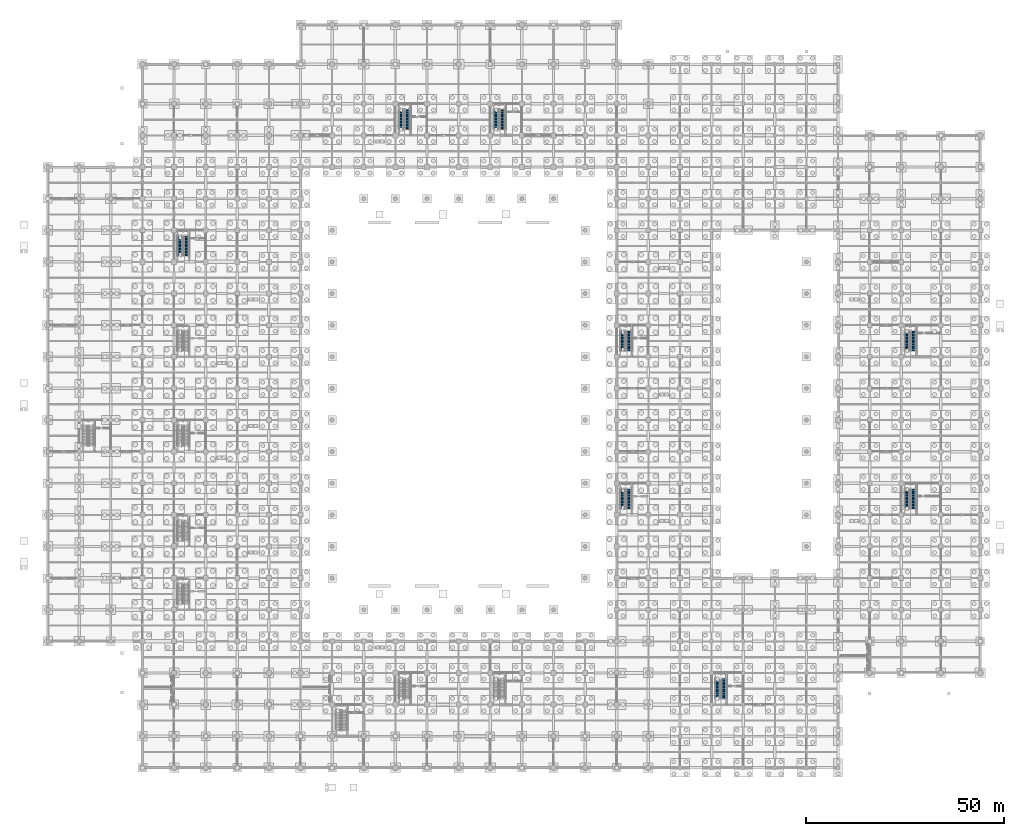
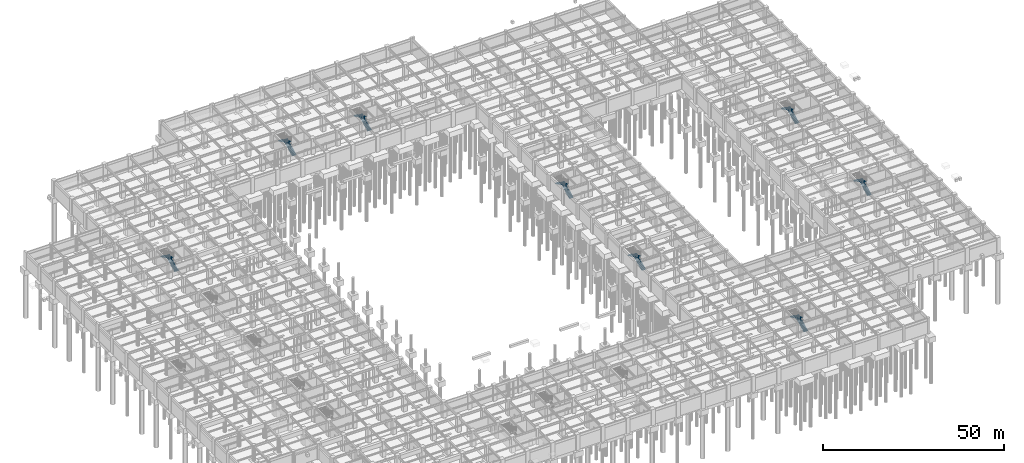
# One storey, part 86 of 97: 16 stair flights, 8 elements without a shape of their own.
"""IFC4 building model written with IfcOpenShell, lengths in metres."""

from ifc_helpers import new_model, si_unit, direction, frame, origin, place, context, subcontext, project, spatial, polyline, outline, extrude, material, type_object, element, aggregate, save


model = new_model("IFC4")

# Units and contexts
model_context = context("Model", 3, precision=1e-05, world=origin(), true_north=direction((0.0, 1.0)))
body_context = subcontext(model_context, "Body", "Model", "MODEL_VIEW")
ifc_project = project(units=[si_unit("LENGTHUNIT", "METRE"), si_unit("AREAUNIT", "SQUARE_METRE"), si_unit("VOLUMEUNIT", "CUBIC_METRE"), si_unit("PLANEANGLEUNIT", "RADIAN"), si_unit("MASSUNIT", "GRAM", prefix="KILO")], contexts=[model_context])

# Site, building, storey
site_placement = place(None, origin())
site = spatial("IfcSite", under=ifc_project, at=site_placement, CompositionType="ELEMENT")
building_placement = place(site_placement, origin())
building = spatial("IfcBuilding", under=site, at=building_placement, Name="Haebicheon Civic Stadium", CompositionType="ELEMENT")
storey_placement = place(building_placement, frame((0.0, 0.0, -5.39990234375)))
storey = spatial("IfcBuildingStorey", under=building, at=storey_placement, Name="B1", CompositionType="ELEMENT", Elevation=-5.39990234375)

# Stair, stair flights
ifc_material_1 = material(Name="Concrete C40/50", Category="concrete")
stair_type_1 = type_object("IfcStairType", Name="STR-DL-W126-H54", PredefinedType="HALF_TURN_STAIR", material=ifc_material_1)
stair_1_placement = place(storey_placement, origin())
stair_1 = element("IfcStair", 1, at=stair_1_placement, inside=storey, type_object=stair_type_1, material=ifc_material_1, Name="B1 Escape stair ST-05", PredefinedType="HALF_TURN_STAIR")
ifc_material_2 = material(Name="Concrete C40/50", Category="concrete")
stair_flight_type_1 = type_object("IfcStairFlightType", Name="STF-DL-W126-H54", PredefinedType="STRAIGHT", material=ifc_material_2)
stair_flight_1_placement = place(storey_placement, frame((35.110107421875, 129.449951171875, 0.0), z_axis=(0.0, 0.0, 1.0), x_axis=(0.0, 1.0, 0.0)))
stair_flight_1 = element("IfcStairFlight", 2, at=stair_flight_1_placement, type_object=stair_flight_type_1, material=ifc_material_2, Name="ST-05 flight 1", NumberOfRisers=18, NumberOfTreads=17, PredefinedType="STRAIGHT", RiserHeight=0.15, TreadLength=0.3, context=body_context, shape_type="SweptSolid", body=[
    extrude(outline(polyline([(0.0, 0.0), (0.0, 0.14990234375), (0.300048828125, 0.14990234375), (0.300048828125, 0.300048828125), (0.60009765625, 0.300048828125), (0.60009765625, 0.449951171875), (0.89990234375, 0.449951171875), (0.89990234375, 0.60009765625), (1.199951171875, 0.60009765625), (1.199951171875, 0.75), (1.5, 0.75), (1.5, 0.89990234375), (1.800048828125, 0.89990234375), (1.800048828125, 1.050048828125), (2.10009765625, 1.050048828125), (2.10009765625, 1.199951171875), (2.39990234375, 1.199951171875), (2.39990234375, 1.35009765625), (2.699951171875, 1.35009765625), (2.699951171875, 1.5), (3.0, 1.5), (3.0, 1.64990234375), (3.300048828125, 1.64990234375), (3.300048828125, 1.800048828125), (3.60009765625, 1.800048828125), (3.60009765625, 1.949951171875), (3.89990234375, 1.949951171875), (3.89990234375, 2.10009765625), (4.199951171875, 2.10009765625), (4.199951171875, 2.25), (4.5, 2.25), (4.5, 2.39990234375), (4.800048828125, 2.39990234375), (4.800048828125, 2.550048828125), (5.10009765625, 2.550048828125), (5.10009765625, 2.699951171875), (5.10009765625, 2.37109375), (0.357666015625, 0.0), (0.0, 0.0)])), frame((0.0, 0.6298828125, 0.0), z_axis=(0.0, -1.0, 0.0), x_axis=(1.0, 0.0, 0.0)), (0.0, 0.0, 1.0), 1.260009765625),
])
stair_flight_2_placement = place(storey_placement, frame((33.469970703125, 134.550048828125, 2.699951171875), z_axis=(0.0, 0.0, 1.0), x_axis=(0.0, -1.0, 0.0)))
stair_flight_2 = element("IfcStairFlight", 3, at=stair_flight_2_placement, type_object=stair_flight_type_1, material=ifc_material_2, Name="ST-05 flight 2", NumberOfRisers=18, NumberOfTreads=17, PredefinedType="STRAIGHT", RiserHeight=0.15, TreadLength=0.3, context=body_context, shape_type="SweptSolid", body=[
    extrude(outline(polyline([(0.0, 0.0), (0.0, 0.14990234375), (0.300048828125, 0.14990234375), (0.300048828125, 0.300048828125), (0.60009765625, 0.300048828125), (0.60009765625, 0.449951171875), (0.89990234375, 0.449951171875), (0.89990234375, 0.60009765625), (1.199951171875, 0.60009765625), (1.199951171875, 0.75), (1.5, 0.75), (1.5, 0.89990234375), (1.800048828125, 0.89990234375), (1.800048828125, 1.050048828125), (2.10009765625, 1.050048828125), (2.10009765625, 1.199951171875), (2.39990234375, 1.199951171875), (2.39990234375, 1.35009765625), (2.699951171875, 1.35009765625), (2.699951171875, 1.5), (3.0, 1.5), (3.0, 1.64990234375), (3.300048828125, 1.64990234375), (3.300048828125, 1.800048828125), (3.60009765625, 1.800048828125), (3.60009765625, 1.949951171875), (3.89990234375, 1.949951171875), (3.89990234375, 2.10009765625), (4.199951171875, 2.10009765625), (4.199951171875, 2.25), (4.5, 2.25), (4.5, 2.39990234375), (4.800048828125, 2.39990234375), (4.800048828125, 2.550048828125), (5.10009765625, 2.550048828125), (5.10009765625, 2.699951171875), (5.10009765625, 2.37109375), (0.357666015625, 0.0), (0.0, 0.0)])), frame((0.0, 0.6298828125, 0.0), z_axis=(0.0, -1.0, 0.0), x_axis=(1.0, 0.0, 0.0)), (0.0, 0.0, 1.0), 1.260009765625),
])
aggregate(stair_1, [stair_flight_1, stair_flight_2])

stair_2_placement = place(storey_placement, origin())
stair_2 = element("IfcStair", 4, at=stair_2_placement, inside=storey, type_object=stair_type_1, material=ifc_material_1, Name="B1 Escape stair ST-09", PredefinedType="HALF_TURN_STAIR")
stair_flight_3_placement = place(storey_placement, frame((115.110107421875, 161.449951171875, 0.0), z_axis=(0.0, 0.0, 1.0), x_axis=(0.0, 1.0, 0.0)))
stair_flight_3 = element("IfcStairFlight", 5, at=stair_flight_3_placement, type_object=stair_flight_type_1, material=ifc_material_2, Name="ST-09 flight 1", NumberOfRisers=18, NumberOfTreads=17, PredefinedType="STRAIGHT", RiserHeight=0.15, TreadLength=0.3, context=body_context, shape_type="SweptSolid", body=[
    extrude(outline(polyline([(0.0, 0.0), (0.0, 0.14990234375), (0.300048828125, 0.14990234375), (0.300048828125, 0.300048828125), (0.60009765625, 0.300048828125), (0.60009765625, 0.449951171875), (0.89990234375, 0.449951171875), (0.89990234375, 0.60009765625), (1.199951171875, 0.60009765625), (1.199951171875, 0.75), (1.5, 0.75), (1.5, 0.89990234375), (1.800048828125, 0.89990234375), (1.800048828125, 1.050048828125), (2.10009765625, 1.050048828125), (2.10009765625, 1.199951171875), (2.39990234375, 1.199951171875), (2.39990234375, 1.35009765625), (2.699951171875, 1.35009765625), (2.699951171875, 1.5), (3.0, 1.5), (3.0, 1.64990234375), (3.300048828125, 1.64990234375), (3.300048828125, 1.800048828125), (3.60009765625, 1.800048828125), (3.60009765625, 1.949951171875), (3.89990234375, 1.949951171875), (3.89990234375, 2.10009765625), (4.199951171875, 2.10009765625), (4.199951171875, 2.25), (4.5, 2.25), (4.5, 2.39990234375), (4.800048828125, 2.39990234375), (4.800048828125, 2.550048828125), (5.10009765625, 2.550048828125), (5.10009765625, 2.699951171875), (5.10009765625, 2.37109375), (0.357666015625, 0.0), (0.0, 0.0)])), frame((0.0, 0.6298828125, 0.0), z_axis=(0.0, -1.0, 0.0), x_axis=(1.0, 0.0, 0.0)), (0.0, 0.0, 1.0), 1.260009765625),
])
stair_flight_4_placement = place(storey_placement, frame((113.469970703125, 166.550048828125, 2.699951171875), z_axis=(0.0, 0.0, 1.0), x_axis=(0.0, -1.0, 0.0)))
stair_flight_4 = element("IfcStairFlight", 6, at=stair_flight_4_placement, type_object=stair_flight_type_1, material=ifc_material_2, Name="ST-09 flight 2", NumberOfRisers=18, NumberOfTreads=17, PredefinedType="STRAIGHT", RiserHeight=0.15, TreadLength=0.3, context=body_context, shape_type="SweptSolid", body=[
    extrude(outline(polyline([(0.0, 0.0), (0.0, 0.14990234375), (0.300048828125, 0.14990234375), (0.300048828125, 0.300048828125), (0.60009765625, 0.300048828125), (0.60009765625, 0.449951171875), (0.89990234375, 0.449951171875), (0.89990234375, 0.60009765625), (1.199951171875, 0.60009765625), (1.199951171875, 0.75), (1.5, 0.75), (1.5, 0.89990234375), (1.800048828125, 0.89990234375), (1.800048828125, 1.050048828125), (2.10009765625, 1.050048828125), (2.10009765625, 1.199951171875), (2.39990234375, 1.199951171875), (2.39990234375, 1.35009765625), (2.699951171875, 1.35009765625), (2.699951171875, 1.5), (3.0, 1.5), (3.0, 1.64990234375), (3.300048828125, 1.64990234375), (3.300048828125, 1.800048828125), (3.60009765625, 1.800048828125), (3.60009765625, 1.949951171875), (3.89990234375, 1.949951171875), (3.89990234375, 2.10009765625), (4.199951171875, 2.10009765625), (4.199951171875, 2.25), (4.5, 2.25), (4.5, 2.39990234375), (4.800048828125, 2.39990234375), (4.800048828125, 2.550048828125), (5.10009765625, 2.550048828125), (5.10009765625, 2.699951171875), (5.10009765625, 2.37109375), (0.357666015625, 0.0), (0.0, 0.0)])), frame((0.0, 0.6298828125, 0.0), z_axis=(0.0, -1.0, 0.0), x_axis=(1.0, 0.0, 0.0)), (0.0, 0.0, 1.0), 1.260009765625),
])
aggregate(stair_2, [stair_flight_3, stair_flight_4])

stair_3_placement = place(storey_placement, origin())
stair_3 = element("IfcStair", 7, at=stair_3_placement, inside=storey, type_object=stair_type_1, material=ifc_material_1, Name="B1 Escape stair ST-11", PredefinedType="HALF_TURN_STAIR")
stair_flight_5_placement = place(storey_placement, frame((147.110107421875, 105.449951171875, 0.0), z_axis=(0.0, 0.0, 1.0), x_axis=(0.0, 1.0, 0.0)))
stair_flight_5 = element("IfcStairFlight", 8, at=stair_flight_5_placement, type_object=stair_flight_type_1, material=ifc_material_2, Name="ST-11 flight 1", NumberOfRisers=18, NumberOfTreads=17, PredefinedType="STRAIGHT", RiserHeight=0.15, TreadLength=0.3, context=body_context, shape_type="SweptSolid", body=[
    extrude(outline(polyline([(0.0, 0.0), (0.0, 0.14990234375), (0.300048828125, 0.14990234375), (0.300048828125, 0.300048828125), (0.60009765625, 0.300048828125), (0.60009765625, 0.449951171875), (0.89990234375, 0.449951171875), (0.89990234375, 0.60009765625), (1.199951171875, 0.60009765625), (1.199951171875, 0.75), (1.5, 0.75), (1.5, 0.89990234375), (1.800048828125, 0.89990234375), (1.800048828125, 1.050048828125), (2.10009765625, 1.050048828125), (2.10009765625, 1.199951171875), (2.39990234375, 1.199951171875), (2.39990234375, 1.35009765625), (2.699951171875, 1.35009765625), (2.699951171875, 1.5), (3.0, 1.5), (3.0, 1.64990234375), (3.300048828125, 1.64990234375), (3.300048828125, 1.800048828125), (3.60009765625, 1.800048828125), (3.60009765625, 1.949951171875), (3.89990234375, 1.949951171875), (3.89990234375, 2.10009765625), (4.199951171875, 2.10009765625), (4.199951171875, 2.25), (4.5, 2.25), (4.5, 2.39990234375), (4.800048828125, 2.39990234375), (4.800048828125, 2.550048828125), (5.10009765625, 2.550048828125), (5.10009765625, 2.699951171875), (5.10009765625, 2.37109375), (0.357666015625, 0.0), (0.0, 0.0)])), frame((0.0, 0.6298828125, 0.0), z_axis=(0.0, -1.0, 0.0), x_axis=(1.0, 0.0, 0.0)), (0.0, 0.0, 1.0), 1.260009765625),
])
stair_flight_6_placement = place(storey_placement, frame((145.469970703125, 110.550048828125, 2.699951171875), z_axis=(0.0, 0.0, 1.0), x_axis=(0.0, -1.0, 0.0)))
stair_flight_6 = element("IfcStairFlight", 9, at=stair_flight_6_placement, type_object=stair_flight_type_1, material=ifc_material_2, Name="ST-11 flight 2", NumberOfRisers=18, NumberOfTreads=17, PredefinedType="STRAIGHT", RiserHeight=0.15, TreadLength=0.3, context=body_context, shape_type="SweptSolid", body=[
    extrude(outline(polyline([(0.0, 0.0), (0.0, 0.14990234375), (0.300048828125, 0.14990234375), (0.300048828125, 0.300048828125), (0.60009765625, 0.300048828125), (0.60009765625, 0.449951171875), (0.89990234375, 0.449951171875), (0.89990234375, 0.60009765625), (1.199951171875, 0.60009765625), (1.199951171875, 0.75), (1.5, 0.75), (1.5, 0.89990234375), (1.800048828125, 0.89990234375), (1.800048828125, 1.050048828125), (2.10009765625, 1.050048828125), (2.10009765625, 1.199951171875), (2.39990234375, 1.199951171875), (2.39990234375, 1.35009765625), (2.699951171875, 1.35009765625), (2.699951171875, 1.5), (3.0, 1.5), (3.0, 1.64990234375), (3.300048828125, 1.64990234375), (3.300048828125, 1.800048828125), (3.60009765625, 1.800048828125), (3.60009765625, 1.949951171875), (3.89990234375, 1.949951171875), (3.89990234375, 2.10009765625), (4.199951171875, 2.10009765625), (4.199951171875, 2.25), (4.5, 2.25), (4.5, 2.39990234375), (4.800048828125, 2.39990234375), (4.800048828125, 2.550048828125), (5.10009765625, 2.550048828125), (5.10009765625, 2.699951171875), (5.10009765625, 2.37109375), (0.357666015625, 0.0), (0.0, 0.0)])), frame((0.0, 0.6298828125, 0.0), z_axis=(0.0, -1.0, 0.0), x_axis=(1.0, 0.0, 0.0)), (0.0, 0.0, 1.0), 1.260009765625),
])
aggregate(stair_3, [stair_flight_5, stair_flight_6])

stair_4_placement = place(storey_placement, origin())
stair_4 = element("IfcStair", 10, at=stair_4_placement, inside=storey, type_object=stair_type_1, material=ifc_material_1, Name="B1 Escape stair ST-13", PredefinedType="HALF_TURN_STAIR")
stair_flight_7_placement = place(storey_placement, frame((219.110107421875, 105.449951171875, 0.0), z_axis=(0.0, 0.0, 1.0), x_axis=(0.0, 1.0, 0.0)))
stair_flight_7 = element("IfcStairFlight", 11, at=stair_flight_7_placement, type_object=stair_flight_type_1, material=ifc_material_2, Name="ST-13 flight 1", NumberOfRisers=18, NumberOfTreads=17, PredefinedType="STRAIGHT", RiserHeight=0.15, TreadLength=0.3, context=body_context, shape_type="SweptSolid", body=[
    extrude(outline(polyline([(0.0, 0.0), (0.0, 0.14990234375), (0.300048828125, 0.14990234375), (0.300048828125, 0.300048828125), (0.60009765625, 0.300048828125), (0.60009765625, 0.449951171875), (0.89990234375, 0.449951171875), (0.89990234375, 0.60009765625), (1.199951171875, 0.60009765625), (1.199951171875, 0.75), (1.5, 0.75), (1.5, 0.89990234375), (1.800048828125, 0.89990234375), (1.800048828125, 1.050048828125), (2.10009765625, 1.050048828125), (2.10009765625, 1.199951171875), (2.39990234375, 1.199951171875), (2.39990234375, 1.35009765625), (2.699951171875, 1.35009765625), (2.699951171875, 1.5), (3.0, 1.5), (3.0, 1.64990234375), (3.300048828125, 1.64990234375), (3.300048828125, 1.800048828125), (3.60009765625, 1.800048828125), (3.60009765625, 1.949951171875), (3.89990234375, 1.949951171875), (3.89990234375, 2.10009765625), (4.199951171875, 2.10009765625), (4.199951171875, 2.25), (4.5, 2.25), (4.5, 2.39990234375), (4.800048828125, 2.39990234375), (4.800048828125, 2.550048828125), (5.10009765625, 2.550048828125), (5.10009765625, 2.699951171875), (5.10009765625, 2.37109375), (0.357666015625, 0.0), (0.0, 0.0)])), frame((0.0, 0.6298828125, 0.0), z_axis=(0.0, -1.0, 0.0), x_axis=(1.0, 0.0, 0.0)), (0.0, 0.0, 1.0), 1.260009765625),
])
stair_flight_8_placement = place(storey_placement, frame((217.469970703125, 110.550048828125, 2.699951171875), z_axis=(0.0, 0.0, 1.0), x_axis=(0.0, -1.0, 0.0)))
stair_flight_8 = element("IfcStairFlight", 12, at=stair_flight_8_placement, type_object=stair_flight_type_1, material=ifc_material_2, Name="ST-13 flight 2", NumberOfRisers=18, NumberOfTreads=17, PredefinedType="STRAIGHT", RiserHeight=0.15, TreadLength=0.3, context=body_context, shape_type="SweptSolid", body=[
    extrude(outline(polyline([(0.0, 0.0), (0.0, 0.14990234375), (0.300048828125, 0.14990234375), (0.300048828125, 0.300048828125), (0.60009765625, 0.300048828125), (0.60009765625, 0.449951171875), (0.89990234375, 0.449951171875), (0.89990234375, 0.60009765625), (1.199951171875, 0.60009765625), (1.199951171875, 0.75), (1.5, 0.75), (1.5, 0.89990234375), (1.800048828125, 0.89990234375), (1.800048828125, 1.050048828125), (2.10009765625, 1.050048828125), (2.10009765625, 1.199951171875), (2.39990234375, 1.199951171875), (2.39990234375, 1.35009765625), (2.699951171875, 1.35009765625), (2.699951171875, 1.5), (3.0, 1.5), (3.0, 1.64990234375), (3.300048828125, 1.64990234375), (3.300048828125, 1.800048828125), (3.60009765625, 1.800048828125), (3.60009765625, 1.949951171875), (3.89990234375, 1.949951171875), (3.89990234375, 2.10009765625), (4.199951171875, 2.10009765625), (4.199951171875, 2.25), (4.5, 2.25), (4.5, 2.39990234375), (4.800048828125, 2.39990234375), (4.800048828125, 2.550048828125), (5.10009765625, 2.550048828125), (5.10009765625, 2.699951171875), (5.10009765625, 2.37109375), (0.357666015625, 0.0), (0.0, 0.0)])), frame((0.0, 0.6298828125, 0.0), z_axis=(0.0, -1.0, 0.0), x_axis=(1.0, 0.0, 0.0)), (0.0, 0.0, 1.0), 1.260009765625),
])
aggregate(stair_4, [stair_flight_7, stair_flight_8])

ifc_material_3 = material(Name="Concrete C40/50", Category="concrete")
stair_type_2 = type_object("IfcStairType", Name="STR-DL-W128-H54", PredefinedType="HALF_TURN_STAIR", material=ifc_material_3)
stair_5_placement = place(storey_placement, origin())
stair_5 = element("IfcStair", 13, at=stair_5_placement, inside=storey, type_object=stair_type_2, material=ifc_material_3, Name="B1 Escape stair ST-08", PredefinedType="HALF_TURN_STAIR")
ifc_material_4 = material(Name="Concrete C40/50", Category="concrete")
stair_flight_type_2 = type_object("IfcStairFlightType", Name="STF-DL-W128-H54", PredefinedType="STRAIGHT", material=ifc_material_4)
stair_flight_9_placement = place(storey_placement, frame((91.10009765625, 161.449951171875, 0.0), z_axis=(0.0, 0.0, 1.0), x_axis=(0.0, 1.0, 0.0)))
stair_flight_9 = element("IfcStairFlight", 14, at=stair_flight_9_placement, type_object=stair_flight_type_2, material=ifc_material_4, Name="ST-08 flight 1", NumberOfRisers=18, NumberOfTreads=17, PredefinedType="STRAIGHT", RiserHeight=0.15, TreadLength=0.3, context=body_context, shape_type="SweptSolid", body=[
    extrude(outline(polyline([(0.0, 0.0), (0.0, 0.14990234375), (0.300048828125, 0.14990234375), (0.300048828125, 0.300048828125), (0.60009765625, 0.300048828125), (0.60009765625, 0.449951171875), (0.89990234375, 0.449951171875), (0.89990234375, 0.60009765625), (1.199951171875, 0.60009765625), (1.199951171875, 0.75), (1.5, 0.75), (1.5, 0.89990234375), (1.800048828125, 0.89990234375), (1.800048828125, 1.050048828125), (2.10009765625, 1.050048828125), (2.10009765625, 1.199951171875), (2.39990234375, 1.199951171875), (2.39990234375, 1.35009765625), (2.699951171875, 1.35009765625), (2.699951171875, 1.5), (3.0, 1.5), (3.0, 1.64990234375), (3.300048828125, 1.64990234375), (3.300048828125, 1.800048828125), (3.60009765625, 1.800048828125), (3.60009765625, 1.949951171875), (3.89990234375, 1.949951171875), (3.89990234375, 2.10009765625), (4.199951171875, 2.10009765625), (4.199951171875, 2.25), (4.5, 2.25), (4.5, 2.39990234375), (4.800048828125, 2.39990234375), (4.800048828125, 2.550048828125), (5.10009765625, 2.550048828125), (5.10009765625, 2.699951171875), (5.10009765625, 2.37109375), (0.357666015625, 0.0), (0.0, 0.0)])), frame((0.0, 0.64013671875, 0.0), z_axis=(0.0, -1.0, 0.0), x_axis=(1.0, 0.0, 0.0)), (0.0, 0.0, 1.0), 1.280029296875),
])
stair_flight_10_placement = place(storey_placement, frame((89.47998046875, 166.550048828125, 2.699951171875), z_axis=(0.0, 0.0, 1.0), x_axis=(0.0, -1.0, 0.0)))
stair_flight_10 = element("IfcStairFlight", 15, at=stair_flight_10_placement, type_object=stair_flight_type_2, material=ifc_material_4, Name="ST-08 flight 2", NumberOfRisers=18, NumberOfTreads=17, PredefinedType="STRAIGHT", RiserHeight=0.15, TreadLength=0.3, context=body_context, shape_type="SweptSolid", body=[
    extrude(outline(polyline([(0.0, 0.0), (0.0, 0.14990234375), (0.300048828125, 0.14990234375), (0.300048828125, 0.300048828125), (0.60009765625, 0.300048828125), (0.60009765625, 0.449951171875), (0.89990234375, 0.449951171875), (0.89990234375, 0.60009765625), (1.199951171875, 0.60009765625), (1.199951171875, 0.75), (1.5, 0.75), (1.5, 0.89990234375), (1.800048828125, 0.89990234375), (1.800048828125, 1.050048828125), (2.10009765625, 1.050048828125), (2.10009765625, 1.199951171875), (2.39990234375, 1.199951171875), (2.39990234375, 1.35009765625), (2.699951171875, 1.35009765625), (2.699951171875, 1.5), (3.0, 1.5), (3.0, 1.64990234375), (3.300048828125, 1.64990234375), (3.300048828125, 1.800048828125), (3.60009765625, 1.800048828125), (3.60009765625, 1.949951171875), (3.89990234375, 1.949951171875), (3.89990234375, 2.10009765625), (4.199951171875, 2.10009765625), (4.199951171875, 2.25), (4.5, 2.25), (4.5, 2.39990234375), (4.800048828125, 2.39990234375), (4.800048828125, 2.550048828125), (5.10009765625, 2.550048828125), (5.10009765625, 2.699951171875), (5.10009765625, 2.37109375), (0.357666015625, 0.0), (0.0, 0.0)])), frame((0.0, 0.64013671875, 0.0), z_axis=(0.0, -1.0, 0.0), x_axis=(1.0, 0.0, 0.0)), (0.0, 0.0, 1.0), 1.280029296875),
])
aggregate(stair_5, [stair_flight_9, stair_flight_10])

stair_6_placement = place(storey_placement, origin())
stair_6 = element("IfcStair", 16, at=stair_6_placement, inside=storey, type_object=stair_type_2, material=ifc_material_3, Name="B1 Escape stair ST-10", PredefinedType="HALF_TURN_STAIR")
stair_flight_11_placement = place(storey_placement, frame((147.10009765625, 65.449951171875, 0.0), z_axis=(0.0, 0.0, 1.0), x_axis=(0.0, 1.0, 0.0)))
stair_flight_11 = element("IfcStairFlight", 17, at=stair_flight_11_placement, type_object=stair_flight_type_2, material=ifc_material_4, Name="ST-10 flight 1", NumberOfRisers=18, NumberOfTreads=17, PredefinedType="STRAIGHT", RiserHeight=0.15, TreadLength=0.3, context=body_context, shape_type="SweptSolid", body=[
    extrude(outline(polyline([(0.0, 0.0), (0.0, 0.14990234375), (0.300048828125, 0.14990234375), (0.300048828125, 0.300048828125), (0.60009765625, 0.300048828125), (0.60009765625, 0.449951171875), (0.89990234375, 0.449951171875), (0.89990234375, 0.60009765625), (1.199951171875, 0.60009765625), (1.199951171875, 0.75), (1.5, 0.75), (1.5, 0.89990234375), (1.800048828125, 0.89990234375), (1.800048828125, 1.050048828125), (2.10009765625, 1.050048828125), (2.10009765625, 1.199951171875), (2.39990234375, 1.199951171875), (2.39990234375, 1.35009765625), (2.699951171875, 1.35009765625), (2.699951171875, 1.5), (3.0, 1.5), (3.0, 1.64990234375), (3.300048828125, 1.64990234375), (3.300048828125, 1.800048828125), (3.60009765625, 1.800048828125), (3.60009765625, 1.949951171875), (3.89990234375, 1.949951171875), (3.89990234375, 2.10009765625), (4.199951171875, 2.10009765625), (4.199951171875, 2.25), (4.5, 2.25), (4.5, 2.39990234375), (4.800048828125, 2.39990234375), (4.800048828125, 2.550048828125), (5.10009765625, 2.550048828125), (5.10009765625, 2.699951171875), (5.10009765625, 2.37109375), (0.357666015625, 0.0), (0.0, 0.0)])), frame((0.0, 0.64013671875, 0.0), z_axis=(0.0, -1.0, 0.0), x_axis=(1.0, 0.0, 0.0)), (0.0, 0.0, 1.0), 1.280029296875),
])
stair_flight_12_placement = place(storey_placement, frame((145.47998046875, 70.550048828125, 2.699951171875), z_axis=(0.0, 0.0, 1.0), x_axis=(0.0, -1.0, 0.0)))
stair_flight_12 = element("IfcStairFlight", 18, at=stair_flight_12_placement, type_object=stair_flight_type_2, material=ifc_material_4, Name="ST-10 flight 2", NumberOfRisers=18, NumberOfTreads=17, PredefinedType="STRAIGHT", RiserHeight=0.15, TreadLength=0.3, context=body_context, shape_type="SweptSolid", body=[
    extrude(outline(polyline([(0.0, 0.0), (0.0, 0.14990234375), (0.300048828125, 0.14990234375), (0.300048828125, 0.300048828125), (0.60009765625, 0.300048828125), (0.60009765625, 0.449951171875), (0.89990234375, 0.449951171875), (0.89990234375, 0.60009765625), (1.199951171875, 0.60009765625), (1.199951171875, 0.75), (1.5, 0.75), (1.5, 0.89990234375), (1.800048828125, 0.89990234375), (1.800048828125, 1.050048828125), (2.10009765625, 1.050048828125), (2.10009765625, 1.199951171875), (2.39990234375, 1.199951171875), (2.39990234375, 1.35009765625), (2.699951171875, 1.35009765625), (2.699951171875, 1.5), (3.0, 1.5), (3.0, 1.64990234375), (3.300048828125, 1.64990234375), (3.300048828125, 1.800048828125), (3.60009765625, 1.800048828125), (3.60009765625, 1.949951171875), (3.89990234375, 1.949951171875), (3.89990234375, 2.10009765625), (4.199951171875, 2.10009765625), (4.199951171875, 2.25), (4.5, 2.25), (4.5, 2.39990234375), (4.800048828125, 2.39990234375), (4.800048828125, 2.550048828125), (5.10009765625, 2.550048828125), (5.10009765625, 2.699951171875), (5.10009765625, 2.37109375), (0.357666015625, 0.0), (0.0, 0.0)])), frame((0.0, 0.64013671875, 0.0), z_axis=(0.0, -1.0, 0.0), x_axis=(1.0, 0.0, 0.0)), (0.0, 0.0, 1.0), 1.280029296875),
])
aggregate(stair_6, [stair_flight_11, stair_flight_12])

stair_7_placement = place(storey_placement, origin())
stair_7 = element("IfcStair", 19, at=stair_7_placement, inside=storey, type_object=stair_type_2, material=ifc_material_3, Name="B1 Escape stair ST-12", PredefinedType="HALF_TURN_STAIR")
stair_flight_13_placement = place(storey_placement, frame((219.10009765625, 65.449951171875, 0.0), z_axis=(0.0, 0.0, 1.0), x_axis=(0.0, 1.0, 0.0)))
stair_flight_13 = element("IfcStairFlight", 20, at=stair_flight_13_placement, type_object=stair_flight_type_2, material=ifc_material_4, Name="ST-12 flight 1", NumberOfRisers=18, NumberOfTreads=17, PredefinedType="STRAIGHT", RiserHeight=0.15, TreadLength=0.3, context=body_context, shape_type="SweptSolid", body=[
    extrude(outline(polyline([(0.0, 0.0), (0.0, 0.14990234375), (0.300048828125, 0.14990234375), (0.300048828125, 0.300048828125), (0.60009765625, 0.300048828125), (0.60009765625, 0.449951171875), (0.89990234375, 0.449951171875), (0.89990234375, 0.60009765625), (1.199951171875, 0.60009765625), (1.199951171875, 0.75), (1.5, 0.75), (1.5, 0.89990234375), (1.800048828125, 0.89990234375), (1.800048828125, 1.050048828125), (2.10009765625, 1.050048828125), (2.10009765625, 1.199951171875), (2.39990234375, 1.199951171875), (2.39990234375, 1.35009765625), (2.699951171875, 1.35009765625), (2.699951171875, 1.5), (3.0, 1.5), (3.0, 1.64990234375), (3.300048828125, 1.64990234375), (3.300048828125, 1.800048828125), (3.60009765625, 1.800048828125), (3.60009765625, 1.949951171875), (3.89990234375, 1.949951171875), (3.89990234375, 2.10009765625), (4.199951171875, 2.10009765625), (4.199951171875, 2.25), (4.5, 2.25), (4.5, 2.39990234375), (4.800048828125, 2.39990234375), (4.800048828125, 2.550048828125), (5.10009765625, 2.550048828125), (5.10009765625, 2.699951171875), (5.10009765625, 2.37109375), (0.357666015625, 0.0), (0.0, 0.0)])), frame((0.0, 0.64013671875, 0.0), z_axis=(0.0, -1.0, 0.0), x_axis=(1.0, 0.0, 0.0)), (0.0, 0.0, 1.0), 1.280029296875),
])
stair_flight_14_placement = place(storey_placement, frame((217.47998046875, 70.550048828125, 2.699951171875), z_axis=(0.0, 0.0, 1.0), x_axis=(0.0, -1.0, 0.0)))
stair_flight_14 = element("IfcStairFlight", 21, at=stair_flight_14_placement, type_object=stair_flight_type_2, material=ifc_material_4, Name="ST-12 flight 2", NumberOfRisers=18, NumberOfTreads=17, PredefinedType="STRAIGHT", RiserHeight=0.15, TreadLength=0.3, context=body_context, shape_type="SweptSolid", body=[
    extrude(outline(polyline([(0.0, 0.0), (0.0, 0.14990234375), (0.300048828125, 0.14990234375), (0.300048828125, 0.300048828125), (0.60009765625, 0.300048828125), (0.60009765625, 0.449951171875), (0.89990234375, 0.449951171875), (0.89990234375, 0.60009765625), (1.199951171875, 0.60009765625), (1.199951171875, 0.75), (1.5, 0.75), (1.5, 0.89990234375), (1.800048828125, 0.89990234375), (1.800048828125, 1.050048828125), (2.10009765625, 1.050048828125), (2.10009765625, 1.199951171875), (2.39990234375, 1.199951171875), (2.39990234375, 1.35009765625), (2.699951171875, 1.35009765625), (2.699951171875, 1.5), (3.0, 1.5), (3.0, 1.64990234375), (3.300048828125, 1.64990234375), (3.300048828125, 1.800048828125), (3.60009765625, 1.800048828125), (3.60009765625, 1.949951171875), (3.89990234375, 1.949951171875), (3.89990234375, 2.10009765625), (4.199951171875, 2.10009765625), (4.199951171875, 2.25), (4.5, 2.25), (4.5, 2.39990234375), (4.800048828125, 2.39990234375), (4.800048828125, 2.550048828125), (5.10009765625, 2.550048828125), (5.10009765625, 2.699951171875), (5.10009765625, 2.37109375), (0.357666015625, 0.0), (0.0, 0.0)])), frame((0.0, 0.64013671875, 0.0), z_axis=(0.0, -1.0, 0.0), x_axis=(1.0, 0.0, 0.0)), (0.0, 0.0, 1.0), 1.280029296875),
])
aggregate(stair_7, [stair_flight_13, stair_flight_14])

stair_8_placement = place(storey_placement, origin())
stair_8 = element("IfcStair", 22, at=stair_8_placement, inside=storey, type_object=stair_type_2, material=ifc_material_3, Name="B1 Escape stair ST-14", PredefinedType="HALF_TURN_STAIR")
stair_flight_15_placement = place(storey_placement, frame((171.10009765625, 17.449951171875, 0.0), z_axis=(0.0, 0.0, 1.0), x_axis=(0.0, 1.0, 0.0)))
stair_flight_15 = element("IfcStairFlight", 23, at=stair_flight_15_placement, type_object=stair_flight_type_2, material=ifc_material_4, Name="ST-14 flight 1", NumberOfRisers=18, NumberOfTreads=17, PredefinedType="STRAIGHT", RiserHeight=0.15, TreadLength=0.3, context=body_context, shape_type="SweptSolid", body=[
    extrude(outline(polyline([(0.0, 0.0), (0.0, 0.14990234375), (0.300048828125, 0.14990234375), (0.300048828125, 0.300048828125), (0.60009765625, 0.300048828125), (0.60009765625, 0.449951171875), (0.89990234375, 0.449951171875), (0.89990234375, 0.60009765625), (1.199951171875, 0.60009765625), (1.199951171875, 0.75), (1.5, 0.75), (1.5, 0.89990234375), (1.800048828125, 0.89990234375), (1.800048828125, 1.050048828125), (2.10009765625, 1.050048828125), (2.10009765625, 1.199951171875), (2.39990234375, 1.199951171875), (2.39990234375, 1.35009765625), (2.699951171875, 1.35009765625), (2.699951171875, 1.5), (3.0, 1.5), (3.0, 1.64990234375), (3.300048828125, 1.64990234375), (3.300048828125, 1.800048828125), (3.60009765625, 1.800048828125), (3.60009765625, 1.949951171875), (3.89990234375, 1.949951171875), (3.89990234375, 2.10009765625), (4.199951171875, 2.10009765625), (4.199951171875, 2.25), (4.5, 2.25), (4.5, 2.39990234375), (4.800048828125, 2.39990234375), (4.800048828125, 2.550048828125), (5.10009765625, 2.550048828125), (5.10009765625, 2.699951171875), (5.10009765625, 2.37109375), (0.357666015625, 0.0), (0.0, 0.0)])), frame((0.0, 0.64013671875, 0.0), z_axis=(0.0, -1.0, 0.0), x_axis=(1.0, 0.0, 0.0)), (0.0, 0.0, 1.0), 1.280029296875),
])
stair_flight_16_placement = place(storey_placement, frame((169.47998046875, 22.550048828125, 2.699951171875), z_axis=(0.0, 0.0, 1.0), x_axis=(0.0, -1.0, 0.0)))
stair_flight_16 = element("IfcStairFlight", 24, at=stair_flight_16_placement, type_object=stair_flight_type_2, material=ifc_material_4, Name="ST-14 flight 2", NumberOfRisers=18, NumberOfTreads=17, PredefinedType="STRAIGHT", RiserHeight=0.15, TreadLength=0.3, context=body_context, shape_type="SweptSolid", body=[
    extrude(outline(polyline([(0.0, 0.0), (0.0, 0.14990234375), (0.300048828125, 0.14990234375), (0.300048828125, 0.300048828125), (0.60009765625, 0.300048828125), (0.60009765625, 0.449951171875), (0.89990234375, 0.449951171875), (0.89990234375, 0.60009765625), (1.199951171875, 0.60009765625), (1.199951171875, 0.75), (1.5, 0.75), (1.5, 0.89990234375), (1.800048828125, 0.89990234375), (1.800048828125, 1.050048828125), (2.10009765625, 1.050048828125), (2.10009765625, 1.199951171875), (2.39990234375, 1.199951171875), (2.39990234375, 1.35009765625), (2.699951171875, 1.35009765625), (2.699951171875, 1.5), (3.0, 1.5), (3.0, 1.64990234375), (3.300048828125, 1.64990234375), (3.300048828125, 1.800048828125), (3.60009765625, 1.800048828125), (3.60009765625, 1.949951171875), (3.89990234375, 1.949951171875), (3.89990234375, 2.10009765625), (4.199951171875, 2.10009765625), (4.199951171875, 2.25), (4.5, 2.25), (4.5, 2.39990234375), (4.800048828125, 2.39990234375), (4.800048828125, 2.550048828125), (5.10009765625, 2.550048828125), (5.10009765625, 2.699951171875), (5.10009765625, 2.37109375), (0.357666015625, 0.0), (0.0, 0.0)])), frame((0.0, 0.64013671875, 0.0), z_axis=(0.0, -1.0, 0.0), x_axis=(1.0, 0.0, 0.0)), (0.0, 0.0, 1.0), 1.280029296875),
])
aggregate(stair_8, [stair_flight_15, stair_flight_16])

save(model, "model.ifc")
